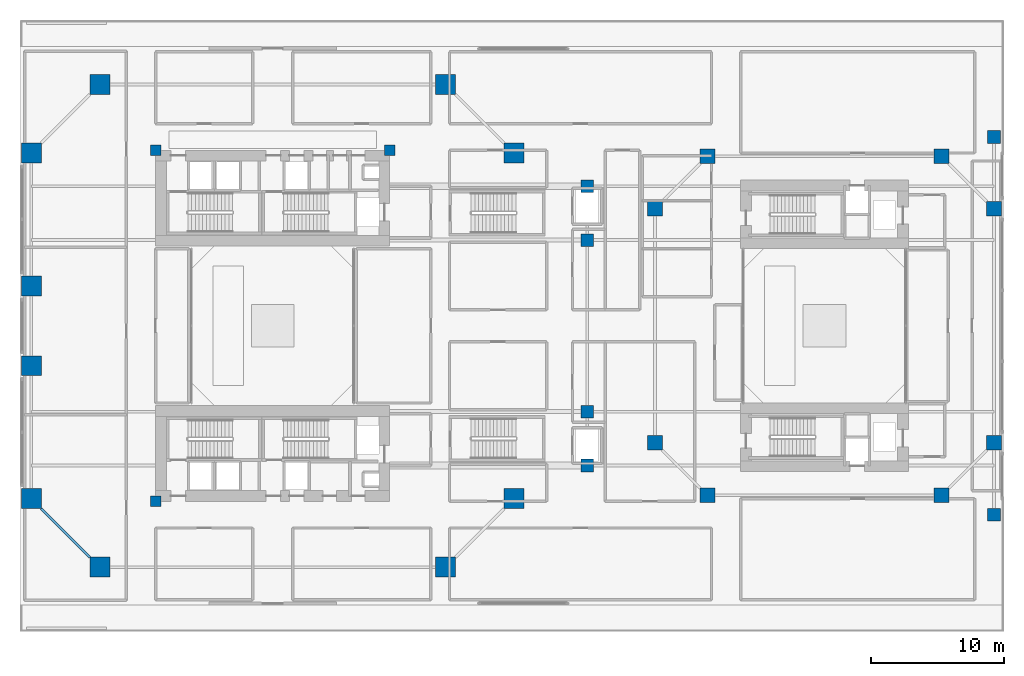
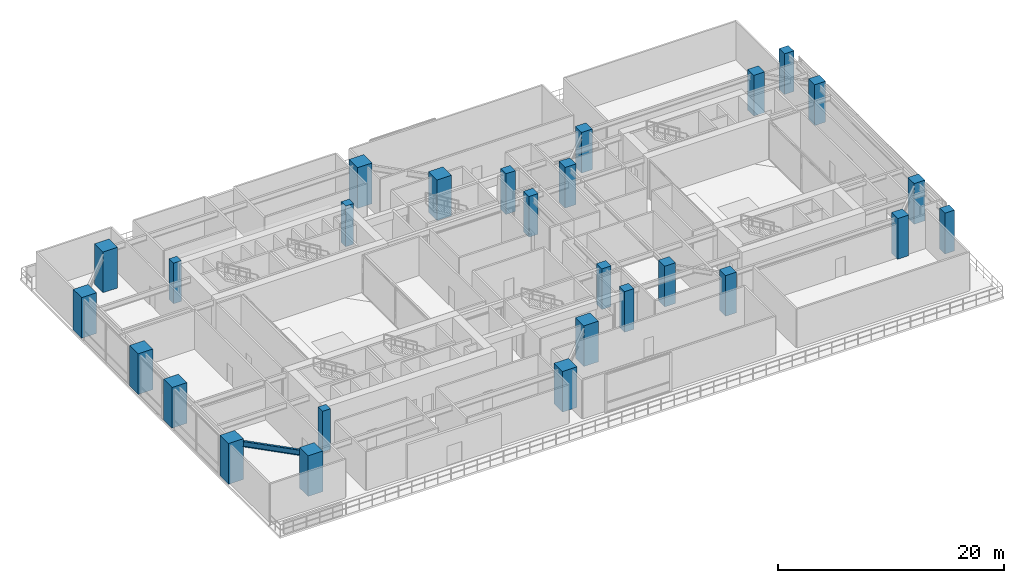
# One storey, part 1 of 19: 27 columns, 1 beam.
"""IFC4 building model written with IfcOpenShell, lengths in metres."""

from ifc_helpers import new_model, si_unit, direction, frame, origin, origin_2d, place, context, subcontext, project, spatial, rectangle, i_section, extrude, source, transform, mapped, material, material_profile, profile_set, type_object, element, save


model = new_model("IFC4")

# Units and contexts
model_context = context("Model", 3, precision=1e-05, world=origin(), true_north=direction((0.0, 1.0)))
body_context = subcontext(model_context, "Body", "Model", "MODEL_VIEW")
ifc_project = project(units=[si_unit("LENGTHUNIT", "METRE"), si_unit("AREAUNIT", "SQUARE_METRE"), si_unit("VOLUMEUNIT", "CUBIC_METRE"), si_unit("PLANEANGLEUNIT", "RADIAN"), si_unit("MASSUNIT", "GRAM", prefix="KILO"), si_unit("THERMODYNAMICTEMPERATUREUNIT", "KELVIN"), si_unit("POWERUNIT", "WATT")], contexts=[model_context])

# Site, building, storey
site_placement = place(None, origin())
site = spatial("IfcSite", under=ifc_project, at=site_placement, CompositionType="ELEMENT")
building_placement = place(site_placement, origin())
building = spatial("IfcBuilding", under=site, at=building_placement, Name="Qiaomeng Ring Towers", CompositionType="ELEMENT")
storey_placement = place(building_placement, frame((0.0, 0.0, 5.0)))
storey = spatial("IfcBuildingStorey", under=building, at=storey_placement, Name="L01", CompositionType="ELEMENT", Elevation=5.0)

# Columns
ifc_material_1 = material(Name="Concrete C60", Category="concrete")
ifc_material_profile_1 = material_profile(ifc_material_1, rectangle(XDim=1.5, YDim=1.5, at=origin_2d()), Name="RC COL 1500x1500")
ifc_profile_set_1 = profile_set([ifc_material_profile_1], Name="Concrete C60")
column_type_1 = type_object("IfcColumnType", Name="STR-COL-1500", PredefinedType="COLUMN", material=ifc_profile_set_1)
shared_shape_1 = source(origin(), body_context, "Body", "SweptSolid", [
    extrude(rectangle(XDim=1.5, YDim=1.5, at=origin_2d()), origin(), (0.0, 0.0, 1.0), 4.39990234375),
])
for number, where, z_axis, x_axis, name in (
    (1, (6.0, 4.85009765625, 0.0), (0.0, 0.0, 1.0), (1.0, 0.0, 0.0), "L01 column STR-COL-L01-T1-S1"),
    (2, (32.0, 4.85009765625, 0.0), (0.0, 0.0, 1.0), (1.0, 0.0, 0.0), "L01 column STR-COL-L01-T1-S2"),
    (3, (37.14990234375, 10.0, 0.0), (0.0, 0.0, 1.0), (1.0, 0.0, 0.0), "L01 column STR-COL-L01-T1-E1"),
    (4, (37.14990234375, 36.0, 0.0), (0.0, 0.0, 1.0), (1.0, 0.0, 0.0), "L01 column STR-COL-L01-T1-E4"),
    (5, (32.0, 41.14990234375, 0.0), (0.0, 0.0, 1.0), (1.0, 0.0, 0.0), "L01 column STR-COL-L01-T1-N2"),
    (6, (6.0, 41.14990234375, 0.0), (0.0, 0.0, 1.0), (1.0, 0.0, 0.0), "L01 column STR-COL-L01-T1-N1"),
    (7, (0.85009765625, 36.0, 0.0), (0.0, 0.0, 1.0), (1.0, 0.0, 0.0), "L01 column STR-COL-L01-T1-W4"),
    (8, (0.85009765625, 26.0, 0.0), (0.0, 0.0, 1.0), (1.0, 0.0, 0.0), "L01 column STR-COL-L01-T1-W3"),
    (9, (0.85009765625, 20.0, 0.0), (0.0, 0.0, 1.0), (1.0, 0.0, 0.0), "L01 column STR-COL-L01-T1-W2"),
    (10, (0.85009765625, 10.0, 0.0), (0.0, 0.0, 1.0), (1.0, 0.0, 0.0), "L01 column STR-COL-L01-T1-W1"),
):
    element("IfcColumn", number, at=place(storey_placement, frame(where, z_axis=z_axis, x_axis=x_axis)), inside=storey, type_object=column_type_1, Name=name, PredefinedType="COLUMN", context=body_context, shape_type="MappedRepresentation", body=[
        mapped(shared_shape_1, transform((0.0, 0.0, 0.0), x_axis=(1.0, 0.0, 0.0), y_axis=(0.0, 1.0, 0.0), z_axis=(0.0, 0.0, 1.0), scale=1.0)),
    ])
ifc_material_profile_2 = material_profile(ifc_material_1, rectangle(XDim=1.10009765625, YDim=1.10009765625, at=origin_2d()), Name="RC COL 1100x1100")
ifc_profile_set_2 = profile_set([ifc_material_profile_2], Name="Concrete C60")
column_type_2 = type_object("IfcColumnType", Name="STR-COL-1100-C60", PredefinedType="COLUMN", material=ifc_profile_set_2)
shared_shape_2 = source(origin(), body_context, "Body", "SweptSolid", [
    extrude(rectangle(XDim=1.10009765625, YDim=1.10009765625, at=origin_2d()), origin(), (0.0, 0.0, 1.0), 4.39990234375),
])
for number, where, z_axis, x_axis, name in (
    (11, (51.699951171875, 10.25, 0.0), (0.0, 0.0, 1.0), (1.0, 0.0, 0.0), "L01 column STR-COL-L01-T2-S1"),
    (12, (69.300048828125, 10.25, 0.0), (0.0, 0.0, 1.0), (1.0, 0.0, 0.0), "L01 column STR-COL-L01-T2-S2"),
    (13, (73.25, 14.199951171875, 0.0), (0.0, 0.0, 1.0), (1.0, 0.0, 0.0), "L01 column STR-COL-L01-T2-E1"),
    (14, (73.25, 31.800048828125, 0.0), (0.0, 0.0, 1.0), (1.0, 0.0, 0.0), "L01 column STR-COL-L01-T2-E2"),
    (15, (69.300048828125, 35.75, 0.0), (0.0, 0.0, 1.0), (1.0, 0.0, 0.0), "L01 column STR-COL-L01-T2-N2"),
    (16, (51.699951171875, 35.75, 0.0), (0.0, 0.0, 1.0), (1.0, 0.0, 0.0), "L01 column STR-COL-L01-T2-N1"),
    (17, (47.75, 14.199951171875, 0.0), (0.0, 0.0, 1.0), (1.0, 0.0, 0.0), "L01 column STR-COL-L01-T2-W1"),
    (18, (47.75, 31.800048828125, 0.0), (0.0, 0.0, 1.0), (1.0, 0.0, 0.0), "L01 column STR-COL-L01-T2-W4"),
):
    element("IfcColumn", number, at=place(storey_placement, frame(where, z_axis=z_axis, x_axis=x_axis)), inside=storey, type_object=column_type_2, Name=name, PredefinedType="COLUMN", context=body_context, shape_type="MappedRepresentation", body=[
        mapped(shared_shape_2, transform((0.0, 0.0, 0.0), x_axis=(1.0, 0.0, 0.0), y_axis=(0.0, 1.0, 0.0), z_axis=(0.0, 0.0, 1.0), scale=1.0)),
    ])
ifc_material_profile_3 = material_profile(ifc_material_1, rectangle(XDim=0.949951171875, YDim=0.949951171875, at=origin_2d()), Name="RC COL 950x950")
ifc_profile_set_3 = profile_set([ifc_material_profile_3], Name="Concrete C60")
column_type_3 = type_object("IfcColumnType", Name="STR-COL-950-C60", PredefinedType="COLUMN", material=ifc_profile_set_3)
shared_shape_3 = source(origin(), body_context, "Body", "SweptSolid", [
    extrude(rectangle(XDim=0.949951171875, YDim=0.949951171875, at=origin_2d()), origin(), (0.0, 0.0, 1.0), 4.39990234375),
])
for number, where, z_axis, x_axis, name in (
    (19, (42.64990234375, 12.5, 0.0), (0.0, 0.0, 1.0), (1.0, 0.0, 0.0), "L01 column STR-COL-L01-P1"),
    (20, (42.64990234375, 16.550048828125, 0.0), (0.0, 0.0, 1.0), (1.0, 0.0, 0.0), "L01 column STR-COL-L01-P2S"),
    (21, (42.64990234375, 29.449951171875, 0.0), (0.0, 0.0, 1.0), (1.0, 0.0, 0.0), "L01 column STR-COL-L01-P2N"),
    (22, (42.64990234375, 33.5, 0.0), (0.0, 0.0, 1.0), (1.0, 0.0, 0.0), "L01 column STR-COL-L01-P3"),
    (23, (73.25, 8.800048828125, 0.0), (0.0, 0.0, 1.0), (1.0, 0.0, 0.0), "L01 column STR-COL-L01-PES"),
    (24, (73.25, 37.199951171875, 0.0), (0.0, 0.0, 1.0), (1.0, 0.0, 0.0), "L01 column STR-COL-L01-PEN"),
):
    element("IfcColumn", number, at=place(storey_placement, frame(where, z_axis=z_axis, x_axis=x_axis)), inside=storey, type_object=column_type_3, Name=name, PredefinedType="COLUMN", context=body_context, shape_type="MappedRepresentation", body=[
        mapped(shared_shape_3, transform((0.0, 0.0, 0.0), x_axis=(1.0, 0.0, 0.0), y_axis=(0.0, 1.0, 0.0), z_axis=(0.0, 0.0, 1.0), scale=1.0)),
    ])
ifc_material_profile_4 = material_profile(ifc_material_1, rectangle(XDim=0.800048828125, YDim=0.800048828125, at=origin_2d()), Name="RC COL 800x800")
ifc_profile_set_4 = profile_set([ifc_material_profile_4], Name="Concrete C60")
column_type_4 = type_object("IfcColumnType", Name="STR-PIL-800", PredefinedType="PILASTER", material=ifc_profile_set_4)
shared_shape_4 = source(origin(), body_context, "Body", "SweptSolid", [
    extrude(rectangle(XDim=0.800048828125, YDim=0.800048828125, at=origin_2d()), origin(), (0.0, 0.0, 1.0), 4.39990234375),
])
for number, where, z_axis, x_axis, name in (
    (25, (10.199951171875, 36.199951171875, 0.0), (0.0, 0.0, 1.0), (1.0, 0.0, 0.0), "L01 column STR-PIL-L01-PL-N1"),
    (26, (10.199951171875, 9.800048828125, 0.0), (0.0, 0.0, 1.0), (1.0, 0.0, 0.0), "L01 column STR-PIL-L01-PL-S1"),
    (27, (27.800048828125, 36.199951171875, 0.0), (0.0, 0.0, 1.0), (1.0, 0.0, 0.0), "L01 column STR-PIL-L01-PL-N2"),
):
    element("IfcColumn", number, at=place(storey_placement, frame(where, z_axis=z_axis, x_axis=x_axis)), inside=storey, type_object=column_type_4, Name=name, PredefinedType="PILASTER", context=body_context, shape_type="MappedRepresentation", body=[
        mapped(shared_shape_4, transform((0.0, 0.0, 0.0), x_axis=(1.0, 0.0, 0.0), y_axis=(0.0, 1.0, 0.0), z_axis=(0.0, 0.0, 1.0), scale=1.0)),
    ])

# Beam
ifc_material_2 = material(Name="Steel Q355B", Category="steel")
ifc_material_profile_5 = material_profile(ifc_material_2, i_section(OverallWidth=0.199951171875, OverallDepth=0.60009765625, WebThickness=0.010986328125, FlangeThickness=0.01708984375, FilletRadius=0.02197265625, at=origin_2d()), Name="HN 600x200x11x17")
ifc_profile_set_5 = profile_set([ifc_material_profile_5], Name="Steel Q355B")
beam_type = type_object("IfcBeamType", Name="STR-BM-HN600", PredefinedType="BEAM", material=ifc_profile_set_5)
shared_shape_5 = source(origin(), body_context, "Body", "SweptSolid", [
    extrude(i_section(OverallWidth=0.199951171875, OverallDepth=0.60009765625, WebThickness=0.010986328125, FlangeThickness=0.01708984375, FilletRadius=0.02197265625, at=origin_2d()), origin(), (0.0, 0.0, 1.0), 5.163818359375),
])
beam_placement = place(storey_placement, frame((1.599365234375, 9.250732421875, 3.8798828125), z_axis=(0.707106781187, -0.707106781187, 0.0), x_axis=(0.707106781187, 0.707106781187, 0.0)))
element("IfcBeam", 28, at=beam_placement, inside=storey, type_object=beam_type, Name="L01 beam STR-SP-L01-T1-0", PredefinedType="BEAM", context=body_context, shape_type="MappedRepresentation", body=[
    mapped(shared_shape_5, transform((0.0, 0.0, 0.0), x_axis=(1.0, 0.0, 0.0), y_axis=(0.0, 1.0, 0.0), z_axis=(0.0, 0.0, 1.0), scale=1.0)),
])

save(model, "model.ifc")
